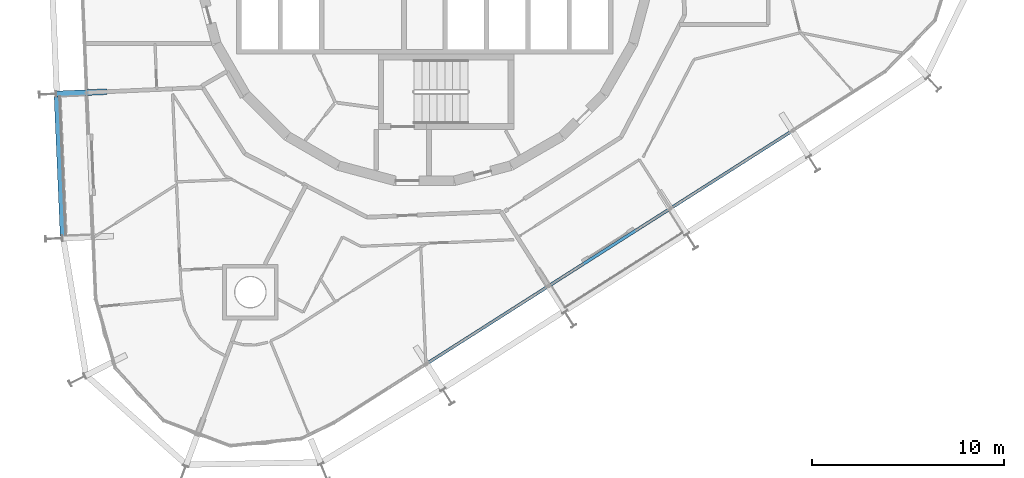
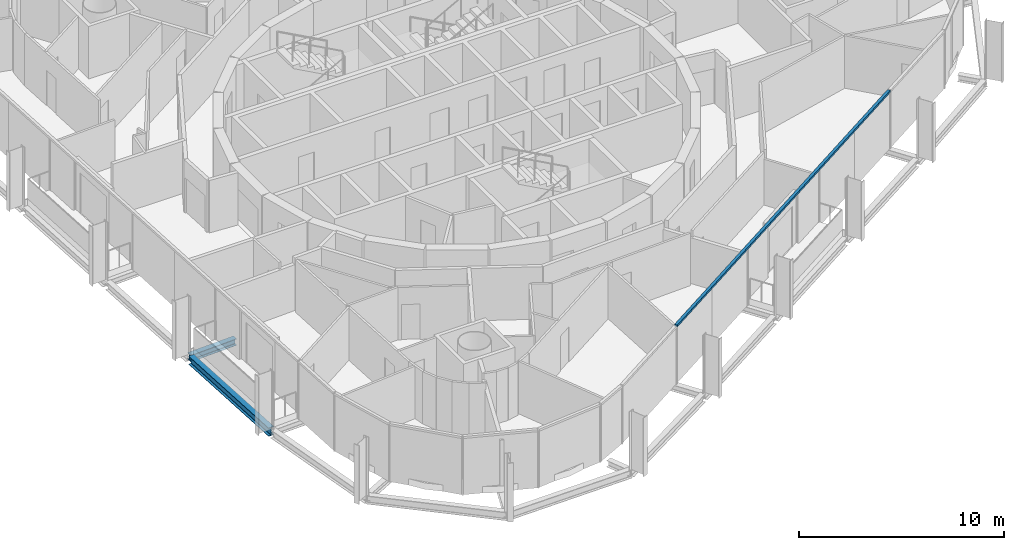
# One storey, part 3 of 18: 2 beams, 1 member, 1 element without a shape of its own.
"""IFC4 building model written with IfcOpenShell, lengths in metres."""

from ifc_helpers import new_model, si_unit, direction, frame, origin, origin_2d, place, context, subcontext, project, spatial, rectangle, i_section, extrude, material, layer, layer_set, material_profile, profile_set, type_object, element, aggregate, save


model = new_model("IFC4")

# Units and contexts
model_context = context("Model", 3, precision=1e-05, world=origin(), true_north=direction((0.0, 1.0)))
body_context = subcontext(model_context, "Body", "Model", "MODEL_VIEW")
ifc_project = project(units=[si_unit("LENGTHUNIT", "METRE"), si_unit("AREAUNIT", "SQUARE_METRE"), si_unit("VOLUMEUNIT", "CUBIC_METRE"), si_unit("PLANEANGLEUNIT", "RADIAN"), si_unit("MASSUNIT", "GRAM", prefix="KILO")], contexts=[model_context])

# Site, building, storey
site_placement = place(None, origin())
site = spatial("IfcSite", under=ifc_project, at=site_placement, CompositionType="ELEMENT")
building_placement = place(site_placement, origin())
building = spatial("IfcBuilding", under=site, at=building_placement, Name="Spindle Arch Residences", CompositionType="ELEMENT")
storey_placement = place(building_placement, frame((0.0, 0.0, 230.199951171875)))
storey = spatial("IfcBuildingStorey", under=building, at=storey_placement, Name="L58", CompositionType="ELEMENT", Elevation=230.199951171875)

# Curtain wall, member
ifc_material_1 = material(Name="Aluminium bronze unitised frame with tinted glass", Category="aluminium")
ifc_layer = layer(ifc_material_1, 0.159912109375)
ifc_layer_set = layer_set([ifc_layer], Name="CW-C typical residential unitised wall")
curtain_wall_type = type_object("IfcCurtainWallType", Name="CW-C typical residential unitised wall", PredefinedType="NOTDEFINED", material=ifc_layer_set)
curtain_wall_placement = place(storey_placement, origin())
curtain_wall = element("IfcCurtainWall", 1, at=curtain_wall_placement, inside=storey, type_object=curtain_wall_type, Name="CW-C L58 run 6", PredefinedType="NOTDEFINED")
ifc_material_2 = material(Name="Aluminium bronze anodised transom", Category="aluminium")
ifc_material_profile_1 = material_profile(ifc_material_2, rectangle(XDim=0.159912109375, YDim=0.1201171875, at=origin_2d()), Name="TR 120x160")
ifc_profile_set_1 = profile_set([ifc_material_profile_1], Name="Aluminium bronze anodised transom")
member_type = type_object("IfcMemberType", Name="Bronze transom 120x160", PredefinedType="USERDEFINED", material=ifc_profile_set_1)
member_placement = place(storey_placement, frame((0.12451171875, -21.16162109375, 3.06005859375), z_axis=(0.84339053968, 0.537301030688, 0.0), x_axis=(-0.537301030688, 0.84339053968, 0.0)))
member = element("IfcMember", 2, at=member_placement, type_object=member_type, Name="CW-C transom 00", ObjectType="TRANSOM", PredefinedType="USERDEFINED", context=body_context, shape_type="SweptSolid", body=[
    extrude(rectangle(XDim=0.159912109375, YDim=0.1201171875, at=origin_2d()), origin(), (0.0, 0.0, 1.0), 22.530029296875),
])
aggregate(curtain_wall, [member])

# Beams
ifc_material_3 = material(Name="Steel S460ML, intumescent coating R 120", Category="steel")
ifc_material_profile_2 = material_profile(ifc_material_3, i_section(OverallWidth=0.300048828125, OverallDepth=0.5, WebThickness=0.014404296875, FlangeThickness=0.028076171875, FilletRadius=0.027099609375, at=origin_2d()), Name="HEB 500")
ifc_profile_set_2 = profile_set([ifc_material_profile_2], Name="Steel S460ML, intumescent coating R 120")
beam_type_1 = type_object("IfcBeamType", Name="Exoskeleton edge beam HEB 500", PredefinedType="BEAM", material=ifc_profile_set_2)
beam_1_placement = place(storey_placement, frame((-19.156494140625, -7.24755859375, -0.6298828125), z_axis=(0.043622301665, -0.999048094337, 0.0), x_axis=(0.999048094337, 0.043622301665, 0.0)))
element("IfcBeam", 3, at=beam_1_placement, inside=storey, type_object=beam_type_1, Name="Exoskeleton edge beam 16", PredefinedType="BEAM", context=body_context, shape_type="SweptSolid", body=[
    extrude(i_section(OverallWidth=0.300048828125, OverallDepth=0.5, WebThickness=0.014404296875, FlangeThickness=0.028076171875, FilletRadius=0.027099609375, at=origin_2d()), origin(), (0.0, 0.0, 1.0), 7.27001953125),
])
ifc_material_4 = material(Name="Steel S460ML, intumescent coating R 120", Category="steel")
ifc_material_profile_3 = material_profile(ifc_material_4, i_section(OverallWidth=0.300048828125, OverallDepth=0.389892578125, WebThickness=0.010986328125, FlangeThickness=0.01904296875, FilletRadius=0.027099609375, at=origin_2d()), Name="HEA 400")
ifc_profile_set_3 = profile_set([ifc_material_profile_3], Name="Steel S460ML, intumescent coating R 120")
beam_type_2 = type_object("IfcBeamType", Name="Floor outrigger HEA 400", PredefinedType="BEAM", material=ifc_profile_set_3)
beam_2_placement = place(storey_placement, frame((-19.192138671875, -7.118896484375, -0.574951171875), z_axis=(0.999050064545, 0.04357715608, 0.0), x_axis=(-0.04357715608, 0.999050064545, 0.0)))
element("IfcBeam", 4, at=beam_2_placement, inside=storey, type_object=beam_type_2, Name="Floor outrigger 16", PredefinedType="BEAM", context=body_context, shape_type="SweptSolid", body=[
    extrude(i_section(OverallWidth=0.300048828125, OverallDepth=0.389892578125, WebThickness=0.010986328125, FlangeThickness=0.01904296875, FilletRadius=0.027099609375, at=origin_2d()), origin(), (0.0, 0.0, 1.0), 2.64990234375),
])

save(model, "model.ifc")
